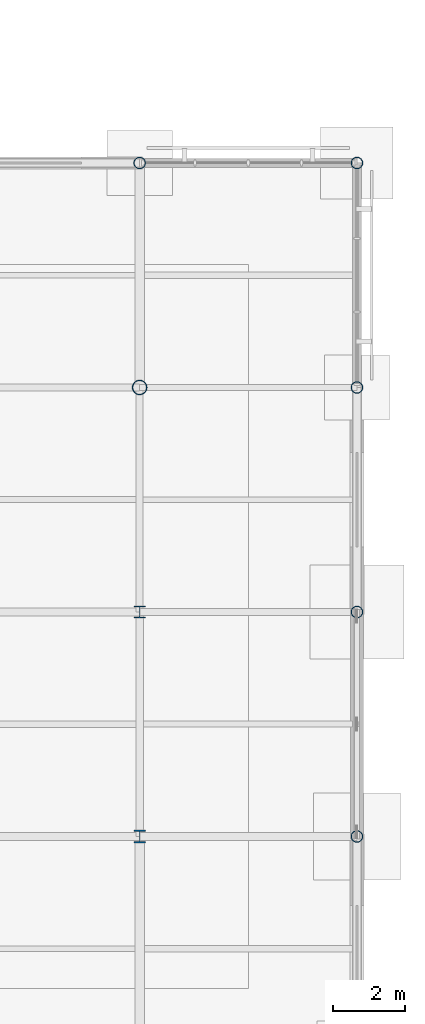
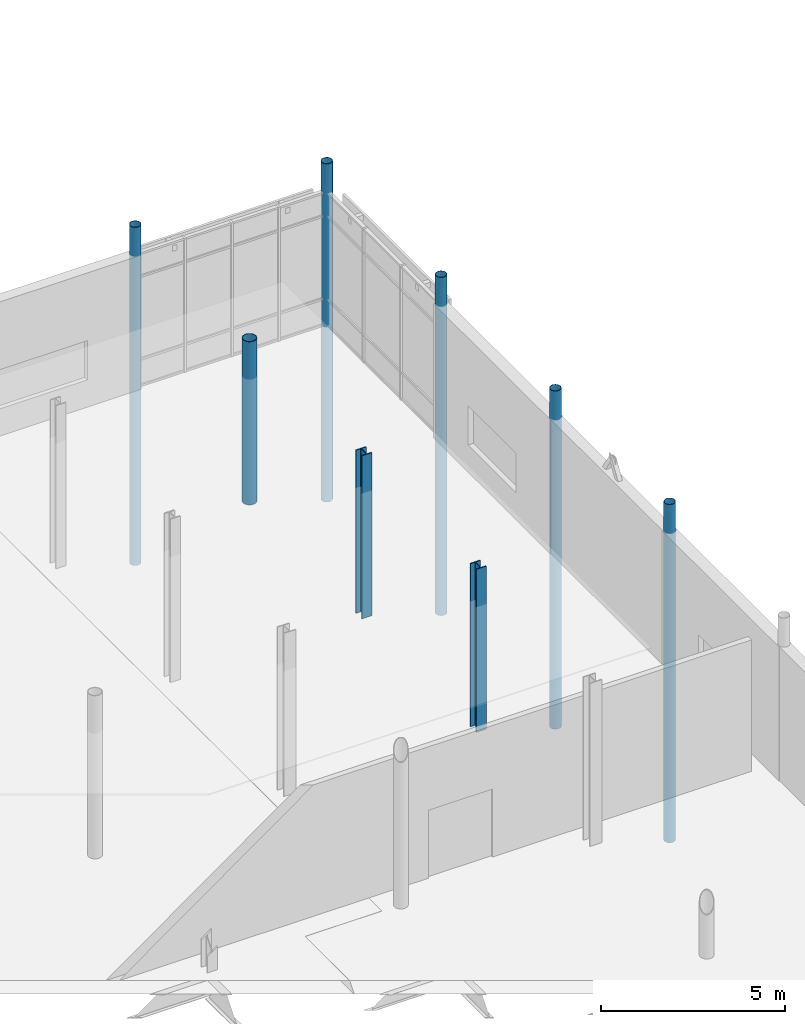
# One storey, part 26 of 98: 8 columns.
"""IFC4 building model written with IfcOpenShell, lengths in metres."""

from ifc_helpers import new_model, si_unit, direction, frame, origin, origin_2d, place, context, subcontext, project, spatial, hollow_circle, i_section, extrude, material, material_profile, profile_set, type_object, element, save


model = new_model("IFC4")

# Units and contexts
model_context = context("Model", 3, precision=1e-05, world=origin(), true_north=direction((0.0, 1.0)))
body_context = subcontext(model_context, "Body", "Model", "MODEL_VIEW")
ifc_project = project(units=[si_unit("LENGTHUNIT", "METRE"), si_unit("AREAUNIT", "SQUARE_METRE"), si_unit("VOLUMEUNIT", "CUBIC_METRE"), si_unit("PLANEANGLEUNIT", "RADIAN"), si_unit("MASSUNIT", "GRAM", prefix="KILO")], contexts=[model_context])

# Site, building, storey
site_placement = place(None, origin())
site = spatial("IfcSite", under=ifc_project, at=site_placement, CompositionType="ELEMENT")
building_placement = place(site_placement, origin())
building = spatial("IfcBuilding", under=site, at=building_placement, Name="Mirzam Square Science Centre", CompositionType="ELEMENT")
storey_placement = place(building_placement, origin())
storey = spatial("IfcBuildingStorey", under=building, at=storey_placement, Name="L00", CompositionType="ELEMENT", Elevation=0.0)

# Columns
ifc_material = material(Name="Steel S355", Category="steel")
ifc_material_profile_1 = material_profile(ifc_material, hollow_circle(Radius=0.161865234375, WallThickness=0.012451171875, at=origin_2d()), Name="323.9x12.5CHS")
ifc_profile_set_1 = profile_set([ifc_material_profile_1], Name="Steel S355")
column_type_1 = type_object("IfcColumnType", Name="COL-CHS324", PredefinedType="COLUMN", material=ifc_profile_set_1)
for number, where, z_axis, x_axis, name in (
    (1, (156.0, 86.800048828125, -5.800048828125), (0.0, 0.0, 1.0), (1.0, 0.0, 0.0), "L00 column G27-15"),
    (2, (162.0, 68.199951171875, -5.800048828125), (0.0, 0.0, 1.0), (1.0, 0.0, 0.0), "L00 column G28-12"),
    (3, (162.0, 74.39990234375, -5.800048828125), (0.0, 0.0, 1.0), (1.0, 0.0, 0.0), "L00 column G28-13"),
    (4, (162.0, 80.60009765625, -5.800048828125), (0.0, 0.0, 1.0), (1.0, 0.0, 0.0), "L00 column G28-14"),
    (5, (162.0, 86.800048828125, -5.800048828125), (0.0, 0.0, 1.0), (1.0, 0.0, 0.0), "L00 column G28-15"),
):
    element("IfcColumn", number, at=place(storey_placement, frame(where, z_axis=z_axis, x_axis=x_axis)), inside=storey, type_object=column_type_1, Name=name, PredefinedType="COLUMN", context=body_context, shape_type="SweptSolid", body=[
        extrude(hollow_circle(Radius=0.161865234375, WallThickness=0.012451171875, at=origin_2d()), origin(), (0.0, 0.0, 1.0), 11.199951171875),
    ])
ifc_material_profile_2 = material_profile(ifc_material, hollow_circle(Radius=0.203125, WallThickness=0.01611328125, at=origin_2d()), Name="406.4x16.0CHS")
ifc_profile_set_2 = profile_set([ifc_material_profile_2], Name="Steel S355")
column_type_2 = type_object("IfcColumnType", Name="COL-CHS406", PredefinedType="COLUMN", material=ifc_profile_set_2)
column_1_placement = place(storey_placement, frame((156.0, 80.60009765625, 0.0), z_axis=(0.0, 0.0, 1.0), x_axis=(1.0, 0.0, 0.0)))
element("IfcColumn", 6, at=column_1_placement, inside=storey, type_object=column_type_2, Name="L00 column G27-14", PredefinedType="COLUMN", context=body_context, shape_type="SweptSolid", body=[
    extrude(hollow_circle(Radius=0.203125, WallThickness=0.01611328125, at=origin_2d()), origin(), (0.0, 0.0, 1.0), 5.39990234375),
])
ifc_material_profile_3 = material_profile(ifc_material, i_section(OverallWidth=0.314453125, OverallDepth=0.33984375, WebThickness=0.01904296875, FlangeThickness=0.031494140625, FilletRadius=0.01513671875, at=origin_2d()), Name="305x305x198UC")
ifc_profile_set_3 = profile_set([ifc_material_profile_3], Name="Steel S355")
column_type_3 = type_object("IfcColumnType", Name="COL-UC305B", PredefinedType="COLUMN", material=ifc_profile_set_3)
column_2_placement = place(storey_placement, frame((156.0, 74.39990234375, 0.0), z_axis=(0.0, 0.0, 1.0), x_axis=(1.0, 0.0, 0.0)))
element("IfcColumn", 7, at=column_2_placement, inside=storey, type_object=column_type_3, Name="L00 column G27-13", PredefinedType="COLUMN", context=body_context, shape_type="SweptSolid", body=[
    extrude(i_section(OverallWidth=0.314453125, OverallDepth=0.33984375, WebThickness=0.01904296875, FlangeThickness=0.031494140625, FilletRadius=0.01513671875, at=origin_2d()), origin(), (0.0, 0.0, 1.0), 5.39990234375),
])
ifc_material_profile_4 = material_profile(ifc_material, i_section(OverallWidth=0.318359375, OverallDepth=0.3525390625, WebThickness=0.02294921875, FlangeThickness=0.03759765625, FilletRadius=0.01513671875, at=origin_2d()), Name="305x305x240UC")
ifc_profile_set_4 = profile_set([ifc_material_profile_4], Name="Steel S355")
column_type_4 = type_object("IfcColumnType", Name="COL-UC305C", PredefinedType="COLUMN", material=ifc_profile_set_4)
column_3_placement = place(storey_placement, frame((156.0, 68.199951171875, 0.0), z_axis=(0.0, 0.0, 1.0), x_axis=(1.0, 0.0, 0.0)))
element("IfcColumn", 8, at=column_3_placement, inside=storey, type_object=column_type_4, Name="L00 column G27-12", PredefinedType="COLUMN", context=body_context, shape_type="SweptSolid", body=[
    extrude(i_section(OverallWidth=0.318359375, OverallDepth=0.3525390625, WebThickness=0.02294921875, FlangeThickness=0.03759765625, FilletRadius=0.01513671875, at=origin_2d()), origin(), (0.0, 0.0, 1.0), 5.39990234375),
])

save(model, "model.ifc")
